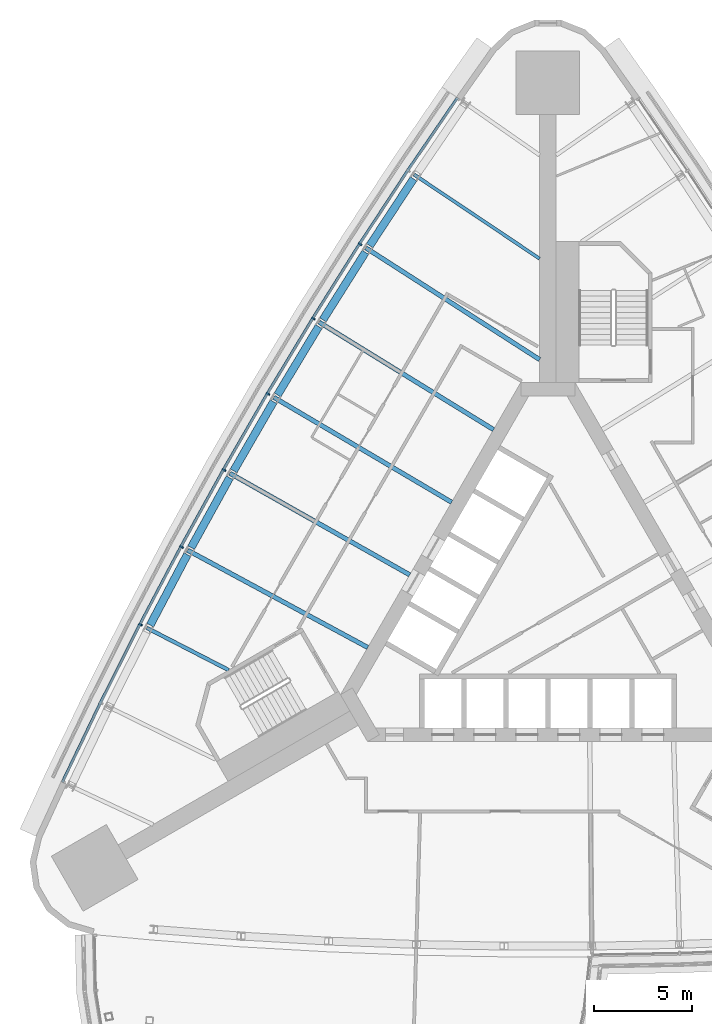
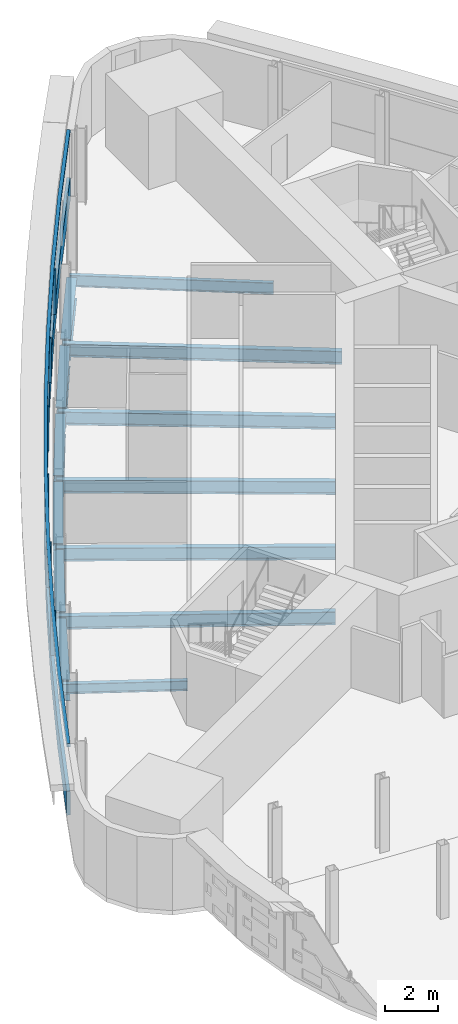
# One storey, part 5 of 15: 13 beams, 8 members, 1 element without a shape of its own.
"""IFC4 building model written with IfcOpenShell, lengths in metres."""

import ifcopenshell
import ifcopenshell.guid

model = None  # the IFC model being written
_history = None  # IfcOwnerHistory: only IFC2X3 demands one
_inside = {}  # id of a spatial element -> (the spatial element, [elements in it])
_under = {}  # id of a project, library or spatial element -> (it, [spatial elements below it])
_declared = {}  # id of a project -> (the project, [libraries it declares])
_typed = {}  # id of a type object -> (the type object, [elements of that type])
_made_of = {}  # id of a material, layer set ... -> (it, [elements and type objects made of it])


def new_model(schema):
    """Start an empty IFC model of exactly this schema.

    Asked for "IFC4X3", IfcOpenShell would pick the latest addendum, in which some entities
    have other attributes; the version numbers below select the first issue.
    IFC2X3 requires an IfcOwnerHistory on every rooted entity: one is made here for all.
    """
    global model, _history
    if schema == "IFC4X3":
        model = ifcopenshell.file(schema_version=(4, 3, 0, 0))
    else:
        model = ifcopenshell.file(schema=schema)
    _inside.clear()
    _under.clear()
    _declared.clear()
    _typed.clear()
    _made_of.clear()
    _history = None
    if model.schema == "IFC2X3":
        org = make("IfcOrganization", Name="unknown")
        user = make(
            "IfcPersonAndOrganization",
            ThePerson=make("IfcPerson", FamilyName="unknown"),
            TheOrganization=org,
        )
        app = make(
            "IfcApplication",
            ApplicationDeveloper=org,
            Version="unknown",
            ApplicationFullName="unknown",
            ApplicationIdentifier="unknown",
        )
        _history = make(
            "IfcOwnerHistory",
            OwningUser=user,
            OwningApplication=app,
            ChangeAction="ADDED",
            CreationDate=0,
        )
    return model


def make(cls, **values):
    """One entity of the class cls with the attributes given. An attribute that is None is left unset."""
    return model.create_entity(
        cls, **{name: value for name, value in values.items() if value is not None}
    )


def rooted(cls, **values):
    """An entity with a GlobalId (a new one), such as an element, a storey or a relation."""
    return make(cls, GlobalId=ifcopenshell.guid.new(), OwnerHistory=_history, **values)


def si_unit(unit_type, name, prefix=None):
    """IfcSIUnit, for example si_unit("LENGTHUNIT", "METRE", prefix="MILLI")."""
    return make("IfcSIUnit", UnitType=unit_type, Prefix=prefix, Name=name)


def assignment(units):
    """IfcUnitAssignment: the units of a project."""
    return None if units is None else make("IfcUnitAssignment", Units=units)


def point(xyz):
    """IfcCartesianPoint."""
    return None if xyz is None else make("IfcCartesianPoint", Coordinates=xyz)


def direction(xyz):
    """IfcDirection."""
    return None if xyz is None else make("IfcDirection", DirectionRatios=xyz)


def frame(location, z_axis=None, x_axis=None):
    """IfcAxis2Placement3D, a coordinate frame: its origin and axes. An axis left out is left unset."""
    return make(
        "IfcAxis2Placement3D",
        Location=point(location),
        Axis=direction(z_axis),
        RefDirection=direction(x_axis),
    )


def frame_2d(location, x_axis=None):
    """IfcAxis2Placement2D, a coordinate frame in the plane: its origin and x axis."""
    return make(
        "IfcAxis2Placement2D", Location=point(location), RefDirection=direction(x_axis)
    )


def origin():
    """The frame at (0, 0, 0) with its axes left unset."""
    return frame((0.0, 0.0, 0.0))


def origin_2d():
    """The frame at (0, 0) in the plane with its x axis left unset."""
    return frame_2d((0.0, 0.0))


def place(relative_to, where):
    """IfcLocalPlacement: puts the frame where relative to a parent placement (None: the world)."""
    return make(
        "IfcLocalPlacement", PlacementRelTo=relative_to, RelativePlacement=where
    )


def context(
    kind, dimensions, precision=None, world=None, true_north=None, identifier=None
):
    """IfcGeometricRepresentationContext, for example the 3D "Model" context."""
    return make(
        "IfcGeometricRepresentationContext",
        ContextIdentifier=identifier,
        ContextType=kind,
        CoordinateSpaceDimension=dimensions,
        Precision=precision,
        WorldCoordinateSystem=world,
        TrueNorth=true_north,
    )


def subcontext(parent, identifier, kind, view, scale=None):
    """IfcGeometricRepresentationSubContext, for example "Body" below "Model"."""
    return make(
        "IfcGeometricRepresentationSubContext",
        ContextIdentifier=identifier,
        ContextType=kind,
        ParentContext=parent,
        TargetScale=scale,
        TargetView=view,
    )


def project(units=None, contexts=None):
    """IfcProject with its units and contexts."""
    return rooted(
        "IfcProject",
        Name="project",
        RepresentationContexts=contexts,
        UnitsInContext=assignment(units),
    )


def spatial(cls, under=None, at=None, **own):
    """A site, building, storey or space (cls), placed at a placement, below another one or the project."""
    s = rooted(cls, ObjectPlacement=at, **own)
    if under is not None:
        _under.setdefault(under.id(), (under, []))[1].append(s)
    return s


def polyline(points):
    """IfcPolyline through the points."""
    return make("IfcPolyline", Points=[point(p) for p in points])


def profile(cls, at=None, kind="AREA", **sizes):
    """A parametric profile (cls). Its sizes go by their IFC names, for example OverallWidth=200.0."""
    return make(cls, ProfileType=kind, Position=at, **sizes)


def rectangle(**sizes):
    """IfcRectangleProfileDef."""
    return profile("IfcRectangleProfileDef", **sizes)


def i_section(**sizes):
    """IfcIShapeProfileDef."""
    return profile("IfcIShapeProfileDef", **sizes)


def outline(outer, holes=None, kind="AREA"):
    """IfcArbitraryClosedProfileDef: a profile drawn as a closed curve; with holes, ...WithVoids."""
    if holes is None:
        return make("IfcArbitraryClosedProfileDef", ProfileType=kind, OuterCurve=outer)
    return make(
        "IfcArbitraryProfileDefWithVoids",
        ProfileType=kind,
        OuterCurve=outer,
        InnerCurves=holes,
    )


def extrude(swept, where, along, depth):
    """IfcExtrudedAreaSolid: the profile swept, set in the frame where, extruded along a direction by depth."""
    return make(
        "IfcExtrudedAreaSolid",
        SweptArea=swept,
        Position=where,
        ExtrudedDirection=direction(along),
        Depth=depth,
    )


def shape(context_of_items, identifier, shape_type, items):
    """IfcShapeRepresentation: the items that make up one representation, for example the "Body"."""
    return make(
        "IfcShapeRepresentation",
        ContextOfItems=context_of_items,
        RepresentationIdentifier=identifier,
        RepresentationType=shape_type,
        Items=items,
    )


def material(Name=None, Category=None):
    """IfcMaterial."""
    return make("IfcMaterial", Name=Name, Category=Category)


def material_profile(
    of_material, cross_section, Name=None, Category=None, Priority=None
):
    """IfcMaterialProfile: a cross section and its material."""
    return make(
        "IfcMaterialProfile",
        Name=Name,
        Material=of_material,
        Profile=cross_section,
        Priority=Priority,
        Category=Category,
    )


def profile_set(profiles, Name=None, composite=None):
    """IfcMaterialProfileSet."""
    return make(
        "IfcMaterialProfileSet",
        Name=Name,
        MaterialProfiles=profiles,
        CompositeProfile=composite,
    )


def made_of(thing, what):
    """Note that an element or type object is made of a material, layer set ...; save() writes the relation."""
    if what is not None:
        _made_of.setdefault(what.id(), (what, []))[1].append(thing)
    return thing


def type_object(cls, material=None, **own):
    """A type object (cls), such as IfcWallType, which elements share."""
    return made_of(rooted(cls, **own), material)


def element(
    cls,
    number,
    at=None,
    inside=None,
    cuts=None,
    type_object=None,
    material=None,
    context=None,
    identifier="Body",
    shape_type=None,
    held_by="IfcProductDefinitionShape",
    body=None,
    shapes=None,
    **own,
):
    """One element of the class cls, such as IfcWall. Its Tag is "e" and its number.

    at: its placement. inside: the storey or other place that contains it. cuts: it is an
    opening in that element (IfcRelVoidsElement). A single representation is given by context,
    identifier, shape_type and body (its items); several are given by shapes. held_by: the class
    of the entity that holds the representations. save() writes the other relations.
    """
    e = rooted(cls, Tag="e%d" % number, ObjectPlacement=at, **own)
    if body is not None:
        shapes = [shape(context, identifier, shape_type, body)]
    if shapes is not None:
        e.Representation = make(held_by, Representations=shapes)
    if inside is not None:
        _inside.setdefault(inside.id(), (inside, []))[1].append(e)
    if cuts is not None:
        rooted(
            "IfcRelVoidsElement", RelatingBuildingElement=cuts, RelatedOpeningElement=e
        )
    if type_object is not None:
        _typed.setdefault(type_object.id(), (type_object, []))[1].append(e)
    return made_of(e, material)


def aggregate(whole, parts):
    """IfcRelAggregates: a whole, such as a stair, and the parts it consists of."""
    return rooted("IfcRelAggregates", RelatingObject=whole, RelatedObjects=parts)


def save(model, path):
    """Write the relations noted so far, then the file.

    IfcRelAggregates (storeys below a building ...), IfcRelContainedInSpatialStructure (elements
    in a storey), IfcRelDefinesByType, IfcRelAssociatesMaterial and IfcRelDeclares: one each for
    every whole, place, type object, material and project.
    """
    for whole, parts in _under.values():
        aggregate(whole, parts)
    for where, things in _inside.values():
        rooted(
            "IfcRelContainedInSpatialStructure",
            RelatedElements=things,
            RelatingStructure=where,
        )
    for kind, things in _typed.values():
        rooted("IfcRelDefinesByType", RelatedObjects=things, RelatingType=kind)
    for what, things in _made_of.values():
        rooted("IfcRelAssociatesMaterial", RelatedObjects=things, RelatingMaterial=what)
    for by, libraries in _declared.values():
        rooted("IfcRelDeclares", RelatingContext=by, RelatedDefinitions=libraries)
    model.write(path)


model = new_model("IFC4")

# Units and contexts
model_context = context("Model", 3, precision=1e-05, world=origin(), true_north=direction((0.0, 1.0)))
body_context = subcontext(model_context, "Body", "Model", "MODEL_VIEW")
ifc_project = project(units=[si_unit("LENGTHUNIT", "METRE"), si_unit("AREAUNIT", "SQUARE_METRE"), si_unit("VOLUMEUNIT", "CUBIC_METRE"), si_unit("PLANEANGLEUNIT", "RADIAN"), si_unit("MASSUNIT", "GRAM", prefix="KILO")], contexts=[model_context])

# Site, building, storey
site_placement = place(None, origin())
site = spatial("IfcSite", under=ifc_project, at=site_placement, CompositionType="ELEMENT")
building_placement = place(site_placement, origin())
building = spatial("IfcBuilding", under=site, at=building_placement, Name="Noor Cloister Tower", CompositionType="ELEMENT")
storey_placement = place(building_placement, frame((0.0, 0.0, 58.199951171875)))
storey = spatial("IfcBuildingStorey", under=building, at=storey_placement, Name="L14", CompositionType="ELEMENT", Elevation=58.199951171875)

# Beams
ifc_material_1 = material(Name="Steel ASTM A992 Gr 50", Category="steel")
ifc_material_profile_1 = material_profile(ifc_material_1, i_section(OverallWidth=0.40087890625, OverallDepth=0.98291015625, WebThickness=0.0166015625, FlangeThickness=0.027099609375, FilletRadius=0.030029296875, at=origin_2d()), Name="W1000x296")
ifc_profile_set_1 = profile_set([ifc_material_profile_1], Name="Steel ASTM A992 Gr 50")
beam_type_1 = type_object("IfcBeamType", Name="Belt chord girder W1000x296", PredefinedType="BEAM", material=ifc_profile_set_1)
beam_1_placement = place(storey_placement, frame((-6.87841796875, 21.869140625, -0.69140625), z_axis=(-0.548742585616, -0.835991372402, 0.0), x_axis=(0.835991372402, -0.548742585616, 0.0)))
element("IfcBeam", 1, at=beam_1_placement, inside=storey, type_object=beam_type_1, Name="Spandrel beam NW 02 L14", PredefinedType="BEAM", context=body_context, shape_type="SweptSolid", body=[
    extrude(i_section(OverallWidth=0.40087890625, OverallDepth=0.98291015625, WebThickness=0.0166015625, FlangeThickness=0.027099609375, FilletRadius=0.030029296875, at=origin_2d()), origin(), (0.0, 0.0, 1.0), 4.085693359375),
])
beam_2_placement = place(storey_placement, frame((-9.3388671875, 18.11376953125, -0.69140625), z_axis=(-0.532719748658, -0.846291716484, 0.0), x_axis=(0.846291716484, -0.532719748658, 0.0)))
element("IfcBeam", 2, at=beam_2_placement, inside=storey, type_object=beam_type_1, Name="Spandrel beam NW 03 L14", PredefinedType="BEAM", context=body_context, shape_type="SweptSolid", body=[
    extrude(i_section(OverallWidth=0.40087890625, OverallDepth=0.98291015625, WebThickness=0.0166015625, FlangeThickness=0.027099609375, FilletRadius=0.030029296875, at=origin_2d()), origin(), (0.0, 0.0, 1.0), 4.085205078125),
])
beam_3_placement = place(storey_placement, frame((-11.72705078125, 14.3125, -0.69140625), z_axis=(-0.516471610202, -0.856304312646, 0.0), x_axis=(0.856304312646, -0.516471610202, 0.0)))
element("IfcBeam", 3, at=beam_3_placement, inside=storey, type_object=beam_type_1, Name="Spandrel beam NW 04 L14", PredefinedType="BEAM", context=body_context, shape_type="SweptSolid", body=[
    extrude(i_section(OverallWidth=0.40087890625, OverallDepth=0.98291015625, WebThickness=0.0166015625, FlangeThickness=0.027099609375, FilletRadius=0.030029296875, at=origin_2d()), origin(), (0.0, 0.0, 1.0), 4.085693359375),
])
for number, where, z_axis, x_axis, name in (
    (4, (-14.04248046875, 10.466064453125, -0.69140625), (-0.500001788232, -0.866024371346, 0.0), (0.866024371346, -0.500001788232, 0.0), "Spandrel beam NW 05 L14"),
    (5, (-16.28369140625, 6.576171875, -0.69140625), (-0.483388526377, -0.875405924453, 0.0), (0.875405924453, -0.483388526377, 0.0), "Spandrel beam NW 06 L14"),
    (6, (-18.450439453125, 2.644287109375, -0.69140625), (-0.466541783788, -0.884499159965, 0.0), (0.884499159965, -0.466541783788, 0.0), "Spandrel beam NW 07 L14"),
):
    element("IfcBeam", number, at=place(storey_placement, frame(where, z_axis=z_axis, x_axis=x_axis)), inside=storey, type_object=beam_type_1, Name=name, PredefinedType="BEAM", context=body_context, shape_type="SweptSolid", body=[
        extrude(i_section(OverallWidth=0.40087890625, OverallDepth=0.98291015625, WebThickness=0.0166015625, FlangeThickness=0.027099609375, FilletRadius=0.030029296875, at=origin_2d()), origin(), (0.0, 0.0, 1.0), 4.08544921875),
    ])

# Curtain wall, members
ifc_material_2 = material(Name="Aluminium 6063-T6 anodised", Category="aluminium")
curtain_wall_type = type_object("IfcCurtainWallType", Name="Ribbon curtain wall, lower tower CW1", PredefinedType="NOTDEFINED", material=ifc_material_2)
curtain_wall_placement = place(storey_placement, origin())
curtain_wall = element("IfcCurtainWall", 7, at=curtain_wall_placement, inside=storey, type_object=curtain_wall_type, Name="CW1 L14 NW run 1", PredefinedType="NOTDEFINED")
ifc_material_3 = material(Name="Aluminium 6063-T6 anodised", Category="aluminium")
member_type_1 = type_object("IfcMemberType", Name="Head transom CW1 150", PredefinedType="USERDEFINED", material=ifc_material_3)
member_1_placement = place(storey_placement, frame((0.0, 0.0, 3.150146484375)))
member_1 = element("IfcMember", 8, at=member_1_placement, type_object=member_type_1, Name="CW1 head transom", ObjectType="TRANSOM", PredefinedType="USERDEFINED", context=body_context, shape_type="SweptSolid", body=[
    extrude(outline(polyline([(-4.683837890625, 26.05810546875), (-7.224609375, 22.343994140625), (-9.69384765625, 18.582275390625), (-12.091064453125, 14.77392578125), (-14.4150390625, 10.920654296875), (-16.6650390625, 7.0234375), (-18.840087890625, 3.084228515625), (-20.939697265625, -0.89599609375), (-22.962890625, -4.91552734375), (-24.908935546875, -8.972900390625), (-24.78271484375, -9.033447265625), (-22.837158203125, -4.97705078125), (-20.815185546875, -0.9599609375), (-18.717041015625, 3.017822265625), (-16.543212890625, 6.95458984375), (-14.29443359375, 10.849365234375), (-11.971923828125, 14.700439453125), (-9.576171875, 18.506591796875), (-7.108154296875, 22.26611328125), (-4.568115234375, 25.97900390625), (-4.683837890625, 26.05810546875)])), origin(), (0.0, 0.0, 1.0), 0.14990234375),
])
ifc_material_4 = material(Name="Aluminium 6063-T6 anodised", Category="aluminium")
ifc_material_profile_2 = material_profile(ifc_material_4, rectangle(XDim=0.199951171875, YDim=0.080078125, at=origin_2d()), Name="200 x 80 mullion")
ifc_profile_set_2 = profile_set([ifc_material_profile_2], Name="Aluminium 6063-T6 anodised")
member_type_2 = type_object("IfcMemberType", Name="Mullion CW1 80 x 200", PredefinedType="MULLION", material=ifc_profile_set_2)
member_2_placement = place(storey_placement, frame((-9.60986328125, 18.528076171875, 1.10009765625), z_axis=(0.0, 0.0, 1.0), x_axis=(0.841177373697, -0.540759305034, 0.0)))
member_2 = element("IfcMember", 9, at=member_2_placement, type_object=member_type_2, Name="CW1 mullion 3", PredefinedType="MULLION", context=body_context, shape_type="SweptSolid", body=[
    extrude(rectangle(XDim=0.199951171875, YDim=0.080078125, at=origin_2d()), origin(), (0.0, 0.0, 1.0), 2.050048828125),
])
member_3_placement = place(storey_placement, frame((-12.005859375, 14.721435546875, 1.10009765625), z_axis=(0.0, 0.0, 1.0), x_axis=(0.851349873532, -0.524598315702, 0.0)))
member_3 = element("IfcMember", 10, at=member_3_placement, type_object=member_type_2, Name="CW1 mullion 4", PredefinedType="MULLION", context=body_context, shape_type="SweptSolid", body=[
    extrude(rectangle(XDim=0.199951171875, YDim=0.080078125, at=origin_2d()), origin(), (0.0, 0.0, 1.0), 2.050048828125),
])
member_4_placement = place(storey_placement, frame((-14.328857421875, 10.86962890625, 1.10009765625), z_axis=(0.0, 0.0, 1.0), x_axis=(0.861211922396, -0.50824602775, 0.0)))
member_4 = element("IfcMember", 11, at=member_4_placement, type_object=member_type_2, Name="CW1 mullion 5", PredefinedType="MULLION", context=body_context, shape_type="SweptSolid", body=[
    extrude(rectangle(XDim=0.199951171875, YDim=0.080078125, at=origin_2d()), origin(), (0.0, 0.0, 1.0), 2.050048828125),
])
member_5_placement = place(storey_placement, frame((-16.577880859375, 6.974365234375, 1.10009765625), z_axis=(0.0, 0.0, 1.0), x_axis=(0.870759932602, -0.491708388961, 0.0)))
member_5 = element("IfcMember", 12, at=member_5_placement, type_object=member_type_2, Name="CW1 mullion 6", PredefinedType="MULLION", context=body_context, shape_type="SweptSolid", body=[
    extrude(rectangle(XDim=0.199951171875, YDim=0.080078125, at=origin_2d()), origin(), (0.0, 0.0, 1.0), 2.050048828125),
])
member_6_placement = place(storey_placement, frame((-18.752197265625, 3.03662109375, 1.10009765625), z_axis=(0.0, 0.0, 1.0), x_axis=(0.879990404946, -0.474991460136, 0.0)))
member_6 = element("IfcMember", 13, at=member_6_placement, type_object=member_type_2, Name="CW1 mullion 7", PredefinedType="MULLION", context=body_context, shape_type="SweptSolid", body=[
    extrude(rectangle(XDim=0.199951171875, YDim=0.080078125, at=origin_2d()), origin(), (0.0, 0.0, 1.0), 2.050048828125),
])
member_7_placement = place(storey_placement, frame((-20.850830078125, -0.941650390625, 1.10009765625), z_axis=(0.0, 0.0, 1.0), x_axis=(0.88889998234, -0.458101322193, 0.0)))
member_7 = element("IfcMember", 14, at=member_7_placement, type_object=member_type_2, Name="CW1 mullion 8", PredefinedType="MULLION", context=body_context, shape_type="SweptSolid", body=[
    extrude(rectangle(XDim=0.199951171875, YDim=0.080078125, at=origin_2d()), origin(), (0.0, 0.0, 1.0), 2.050048828125),
])

# Beams
ifc_material_5 = material(Name="Steel ASTM A992 Gr 50", Category="steel")
ifc_material_profile_3 = material_profile(ifc_material_5, i_section(OverallWidth=0.19091796875, OverallDepth=0.45703125, WebThickness=0.009033203125, FlangeThickness=0.014404296875, FilletRadius=0.01025390625, at=origin_2d()), Name="W460x74")
ifc_profile_set_3 = profile_set([ifc_material_profile_3], Name="Steel ASTM A992 Gr 50")
beam_type_2 = type_object("IfcBeamType", Name="Radial beam W460x74", PredefinedType="BEAM", material=ifc_profile_set_3)
beam_4_placement = place(storey_placement, frame((-20.537109375, -1.103515625, -0.428466796875), z_axis=(0.888897465963, -0.458106204939, 0.0), x_axis=(0.458106204939, 0.888897465963, 0.0)))
element("IfcBeam", 15, at=beam_4_placement, inside=storey, type_object=beam_type_2, Name="Radial beam NW 08 L14", PredefinedType="BEAM", context=body_context, shape_type="SweptSolid", body=[
    extrude(i_section(OverallWidth=0.19091796875, OverallDepth=0.45703125, WebThickness=0.009033203125, FlangeThickness=0.014404296875, FilletRadius=0.01025390625, at=origin_2d()), origin(), (0.0, 0.0, 1.0), 4.728271484375),
])
ifc_material_6 = material(Name="Steel ASTM A992 Gr 50", Category="steel")
ifc_material_profile_4 = material_profile(ifc_material_6, i_section(OverallWidth=0.166015625, OverallDepth=0.528076171875, WebThickness=0.009765625, FlangeThickness=0.013671875, FilletRadius=0.0126953125, at=origin_2d()), Name="W530x74")
ifc_profile_set_4 = profile_set([ifc_material_profile_4], Name="Steel ASTM A992 Gr 50")
beam_type_3 = type_object("IfcBeamType", Name="Radial beam W530x74", PredefinedType="BEAM", material=ifc_profile_set_4)
beam_5_placement = place(storey_placement, frame((-6.84814453125, 22.091796875, -0.4638671875), z_axis=(0.830697405227, -0.556724187501, 0.0), x_axis=(0.556724187501, 0.830697405227, 0.0)))
element("IfcBeam", 16, at=beam_5_placement, inside=storey, type_object=beam_type_3, Name="Radial beam NW 02 L14", PredefinedType="BEAM", context=body_context, shape_type="SweptSolid", body=[
    extrude(i_section(OverallWidth=0.166015625, OverallDepth=0.528076171875, WebThickness=0.009765625, FlangeThickness=0.013671875, FilletRadius=0.0126953125, at=origin_2d()), origin(), (0.0, 0.0, 1.0), 7.732177734375),
])
ifc_material_7 = material(Name="Steel ASTM A992 Gr 50", Category="steel")
ifc_material_profile_5 = material_profile(ifc_material_7, i_section(OverallWidth=0.22802734375, OverallDepth=0.60205078125, WebThickness=0.010498046875, FlangeThickness=0.014892578125, FilletRadius=0.0126953125, at=origin_2d()), Name="W610x101")
ifc_profile_set_5 = profile_set([ifc_material_profile_5], Name="Steel ASTM A992 Gr 50")
beam_type_4 = type_object("IfcBeamType", Name="Radial beam W610x101", PredefinedType="BEAM", material=ifc_profile_set_5)
beam_6_placement = place(storey_placement, frame((-9.31298828125, 18.33740234375, -0.5009765625), z_axis=(0.841170217214, -0.540770437129, 0.0), x_axis=(0.540770437129, 0.841170217214, 0.0)))
element("IfcBeam", 17, at=beam_6_placement, inside=storey, type_object=beam_type_4, Name="Radial beam NW 03 L14", PredefinedType="BEAM", context=body_context, shape_type="SweptSolid", body=[
    extrude(i_section(OverallWidth=0.22802734375, OverallDepth=0.60205078125, WebThickness=0.010498046875, FlangeThickness=0.014892578125, FilletRadius=0.0126953125, at=origin_2d()), origin(), (0.0, 0.0, 1.0), 10.566162109375),
])
beam_7_placement = place(storey_placement, frame((-11.705322265625, 14.536376953125, -0.5009765625), z_axis=(0.85134946525, -0.524598978286, 0.0), x_axis=(0.524598978286, 0.85134946525, 0.0)))
element("IfcBeam", 18, at=beam_7_placement, inside=storey, type_object=beam_type_4, Name="Radial beam NW 04 L14", PredefinedType="BEAM", context=body_context, shape_type="SweptSolid", body=[
    extrude(i_section(OverallWidth=0.22802734375, OverallDepth=0.60205078125, WebThickness=0.010498046875, FlangeThickness=0.014892578125, FilletRadius=0.0126953125, at=origin_2d()), origin(), (0.0, 0.0, 1.0), 10.4814453125),
])
beam_8_placement = place(storey_placement, frame((-14.02490234375, 10.6904296875, -0.5009765625), z_axis=(0.861210281965, -0.508248807414, 0.0), x_axis=(0.508248807414, 0.861210281965, 0.0)))
element("IfcBeam", 19, at=beam_8_placement, inside=storey, type_object=beam_type_4, Name="Radial beam NW 05 L14", PredefinedType="BEAM", context=body_context, shape_type="SweptSolid", body=[
    extrude(i_section(OverallWidth=0.22802734375, OverallDepth=0.60205078125, WebThickness=0.010498046875, FlangeThickness=0.014892578125, FilletRadius=0.0126953125, at=origin_2d()), origin(), (0.0, 0.0, 1.0), 10.5634765625),
])
beam_9_placement = place(storey_placement, frame((-16.2705078125, 6.80078125, -0.5009765625), z_axis=(0.87075647763, -0.491714507275, 0.0), x_axis=(0.491714507275, 0.87075647763, 0.0)))
element("IfcBeam", 20, at=beam_9_placement, inside=storey, type_object=beam_type_4, Name="Radial beam NW 06 L14", PredefinedType="BEAM", context=body_context, shape_type="SweptSolid", body=[
    extrude(i_section(OverallWidth=0.22802734375, OverallDepth=0.60205078125, WebThickness=0.010498046875, FlangeThickness=0.014892578125, FilletRadius=0.0126953125, at=origin_2d()), origin(), (0.0, 0.0, 1.0), 10.563232421875),
])
beam_10_placement = place(storey_placement, frame((-18.44140625, 2.869140625, -0.5009765625), z_axis=(0.879979983035, -0.475010767729, 0.0), x_axis=(0.475010767729, 0.879979983035, 0.0)))
element("IfcBeam", 21, at=beam_10_placement, inside=storey, type_object=beam_type_4, Name="Radial beam NW 07 L14", PredefinedType="BEAM", context=body_context, shape_type="SweptSolid", body=[
    extrude(i_section(OverallWidth=0.22802734375, OverallDepth=0.60205078125, WebThickness=0.010498046875, FlangeThickness=0.014892578125, FilletRadius=0.0126953125, at=origin_2d()), origin(), (0.0, 0.0, 1.0), 10.4814453125),
])

# Member
ifc_material_8 = material(Name="Aluminium 6063-T6 anodised", Category="aluminium")
member_type_3 = type_object("IfcMemberType", Name="Sill transom CW1 1100", PredefinedType="USERDEFINED", material=ifc_material_8)
member_8_placement = place(storey_placement, origin())
member_8 = element("IfcMember", 22, at=member_8_placement, type_object=member_type_3, Name="CW1 sill transom", ObjectType="TRANSOM", PredefinedType="USERDEFINED", context=body_context, shape_type="SweptSolid", body=[
    extrude(outline(polyline([(-4.683837890625, 26.05810546875), (-7.224609375, 22.343994140625), (-9.69384765625, 18.582275390625), (-12.091064453125, 14.77392578125), (-14.4150390625, 10.920654296875), (-16.6650390625, 7.0234375), (-18.840087890625, 3.084228515625), (-20.939697265625, -0.89599609375), (-22.962890625, -4.91552734375), (-24.908935546875, -8.972900390625), (-24.78271484375, -9.033447265625), (-22.837158203125, -4.97705078125), (-20.815185546875, -0.9599609375), (-18.717041015625, 3.017822265625), (-16.543212890625, 6.95458984375), (-14.29443359375, 10.849365234375), (-11.971923828125, 14.700439453125), (-9.576171875, 18.506591796875), (-7.108154296875, 22.26611328125), (-4.568115234375, 25.97900390625), (-4.683837890625, 26.05810546875)])), origin(), (0.0, 0.0, 1.0), 1.10009765625),
])

aggregate(curtain_wall, [member_2, member_3, member_4, member_5, member_6, member_7, member_8, member_1])

save(model, "model.ifc")
